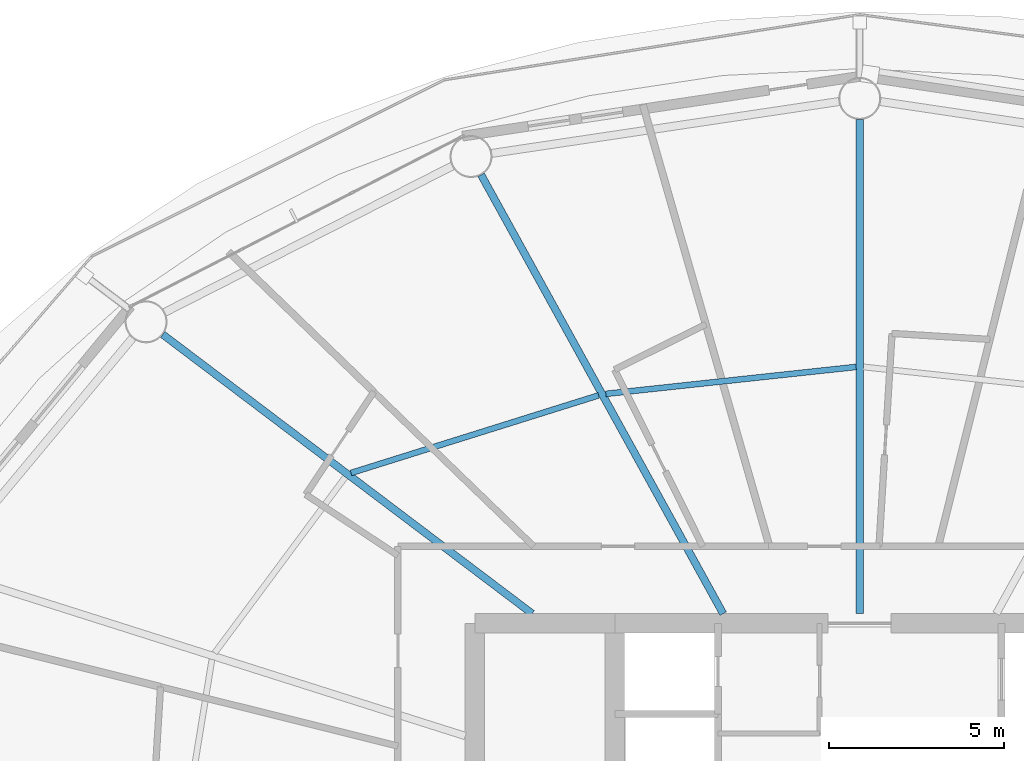
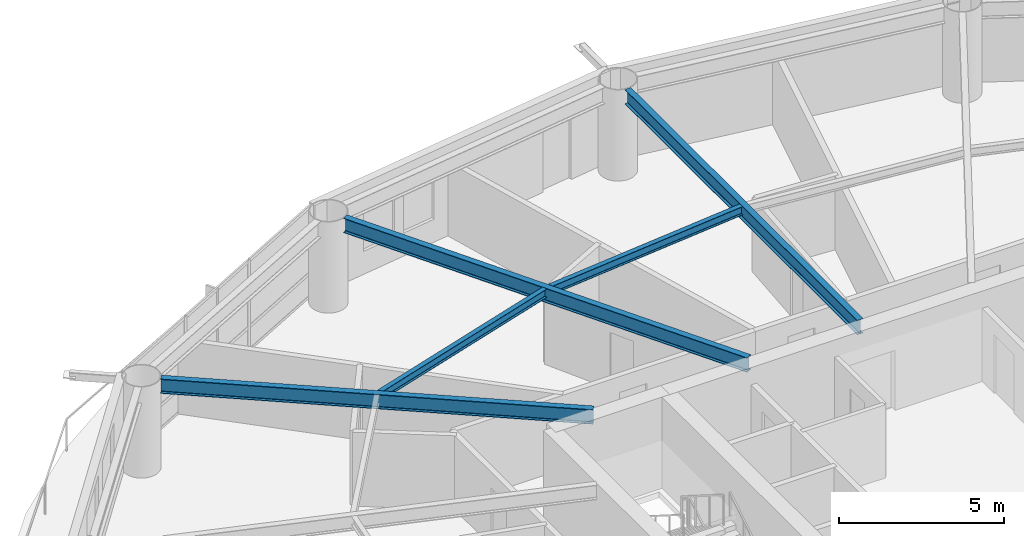
# One storey, part 9 of 24: 5 beams.
"""IFC4 building model written with IfcOpenShell, lengths in metres."""

from ifc_helpers import new_model, si_unit, direction, frame, origin, origin_2d, place, context, subcontext, project, spatial, i_section, extrude, material, material_profile, profile_set, type_object, element, save


model = new_model("IFC4")

# Units and contexts
model_context = context("Model", 3, precision=1e-05, world=origin(), true_north=direction((0.0, 1.0)))
body_context = subcontext(model_context, "Body", "Model", "MODEL_VIEW")
ifc_project = project(units=[si_unit("LENGTHUNIT", "METRE"), si_unit("AREAUNIT", "SQUARE_METRE"), si_unit("VOLUMEUNIT", "CUBIC_METRE"), si_unit("PLANEANGLEUNIT", "RADIAN"), si_unit("MASSUNIT", "GRAM", prefix="KILO")], contexts=[model_context])

# Site, building, storey
site_placement = place(None, origin())
site = spatial("IfcSite", under=ifc_project, at=site_placement, CompositionType="ELEMENT")
building_placement = place(site_placement, origin())
building = spatial("IfcBuilding", under=site, at=building_placement, Name="Sarneth Arch Tower", CompositionType="ELEMENT")
storey_placement = place(building_placement, frame((0.0, 0.0, 102.0)))
storey = spatial("IfcBuildingStorey", under=building, at=storey_placement, Name="L25", CompositionType="ELEMENT", Elevation=102.0)

# Beams
ifc_material_1 = material(Name="Steel S355", Category="steel")
ifc_material_profile_1 = material_profile(ifc_material_1, i_section(OverallWidth=0.1669921875, OverallDepth=0.31689453125, WebThickness=0.007568359375, FlangeThickness=0.01318359375, FilletRadius=0.012939453125, at=origin_2d()), Name="W310x52")
ifc_profile_set_1 = profile_set([ifc_material_profile_1], Name="Steel S355")
beam_type_1 = type_object("IfcBeamType", Name="BM-JOIST-310B", PredefinedType="JOIST", material=ifc_profile_set_1)
beam_1_placement = place(storey_placement, frame((47.89501953125, 56.126220703125, 3.221435546875), z_axis=(-0.994257420028, -0.107014871487, 0.0), x_axis=(0.107014871487, -0.994257420028, 0.0)))
element("IfcBeam", 1, at=beam_1_placement, inside=storey, type_object=beam_type_1, Name="L25 Secondary floor joist 05", PredefinedType="JOIST", context=body_context, shape_type="SweptSolid", body=[
    extrude(i_section(OverallWidth=0.1669921875, OverallDepth=0.31689453125, WebThickness=0.007568359375, FlangeThickness=0.01318359375, FilletRadius=0.012939453125, at=origin_2d()), origin(), (0.0, 0.0, 1.0), 7.193115234375),
])
beam_2_placement = place(storey_placement, frame((40.53759765625, 55.3134765625, 3.221435546875), z_axis=(-0.954245982384, -0.299022750146, 0.0), x_axis=(0.299022750146, -0.954245982384, 0.0)))
element("IfcBeam", 2, at=beam_2_placement, inside=storey, type_object=beam_type_1, Name="L25 Secondary floor joist 06", PredefinedType="JOIST", context=body_context, shape_type="SweptSolid", body=[
    extrude(i_section(OverallWidth=0.1669921875, OverallDepth=0.31689453125, WebThickness=0.007568359375, FlangeThickness=0.01318359375, FilletRadius=0.012939453125, at=origin_2d()), origin(), (0.0, 0.0, 1.0), 7.416748046875),
])
ifc_material_2 = material(Name="Steel S355", Category="steel")
ifc_material_profile_2 = material_profile(ifc_material_2, i_section(OverallWidth=0.2109375, OverallDepth=0.5390625, WebThickness=0.01171875, FlangeThickness=0.018798828125, FilletRadius=0.01806640625, at=origin_2d()), Name="W530x109")
ifc_profile_set_2 = profile_set([ifc_material_profile_2], Name="Steel S355")
beam_type_2 = type_object("IfcBeamType", Name="BM-RAD-530B", PredefinedType="BEAM", material=ifc_profile_set_2)
beam_3_placement = place(storey_placement, frame((48.0, 49.074951171875, 3.110595703125), z_axis=(0.0, 1.0, 0.0), x_axis=(-1.0, 0.0, 0.0)))
element("IfcBeam", 3, at=beam_3_placement, inside=storey, type_object=beam_type_2, Name="L25 Radial floor girder 05", PredefinedType="BEAM", context=body_context, shape_type="SweptSolid", body=[
    extrude(i_section(OverallWidth=0.2109375, OverallDepth=0.5390625, WebThickness=0.01171875, FlangeThickness=0.018798828125, FilletRadius=0.01806640625, at=origin_2d()), origin(), (0.0, 0.0, 1.0), 14.125),
])
beam_4_placement = place(storey_placement, frame((44.09716796875, 49.074951171875, 3.110595703125), z_axis=(-0.483021011336, 0.875608761153, 0.0), x_axis=(-0.875608761153, -0.483021011336, 0.0)))
element("IfcBeam", 4, at=beam_4_placement, inside=storey, type_object=beam_type_2, Name="L25 Radial floor girder 06", PredefinedType="BEAM", context=body_context, shape_type="SweptSolid", body=[
    extrude(i_section(OverallWidth=0.2109375, OverallDepth=0.5390625, WebThickness=0.01171875, FlangeThickness=0.018798828125, FilletRadius=0.01806640625, at=origin_2d()), origin(), (0.0, 0.0, 1.0), 14.32177734375),
])
beam_5_placement = place(storey_placement, frame((38.63818359375, 49.074951171875, 3.110595703125), z_axis=(-0.797802835234, 0.602918432371, 0.0), x_axis=(-0.602918432371, -0.797802835234, 0.0)))
element("IfcBeam", 5, at=beam_5_placement, inside=storey, type_object=beam_type_2, Name="L25 Radial floor girder 07", PredefinedType="BEAM", context=body_context, shape_type="SweptSolid", body=[
    extrude(i_section(OverallWidth=0.2109375, OverallDepth=0.5390625, WebThickness=0.01171875, FlangeThickness=0.018798828125, FilletRadius=0.01806640625, at=origin_2d()), origin(), (0.0, 0.0, 1.0), 13.232666015625),
])

save(model, "model.ifc")
